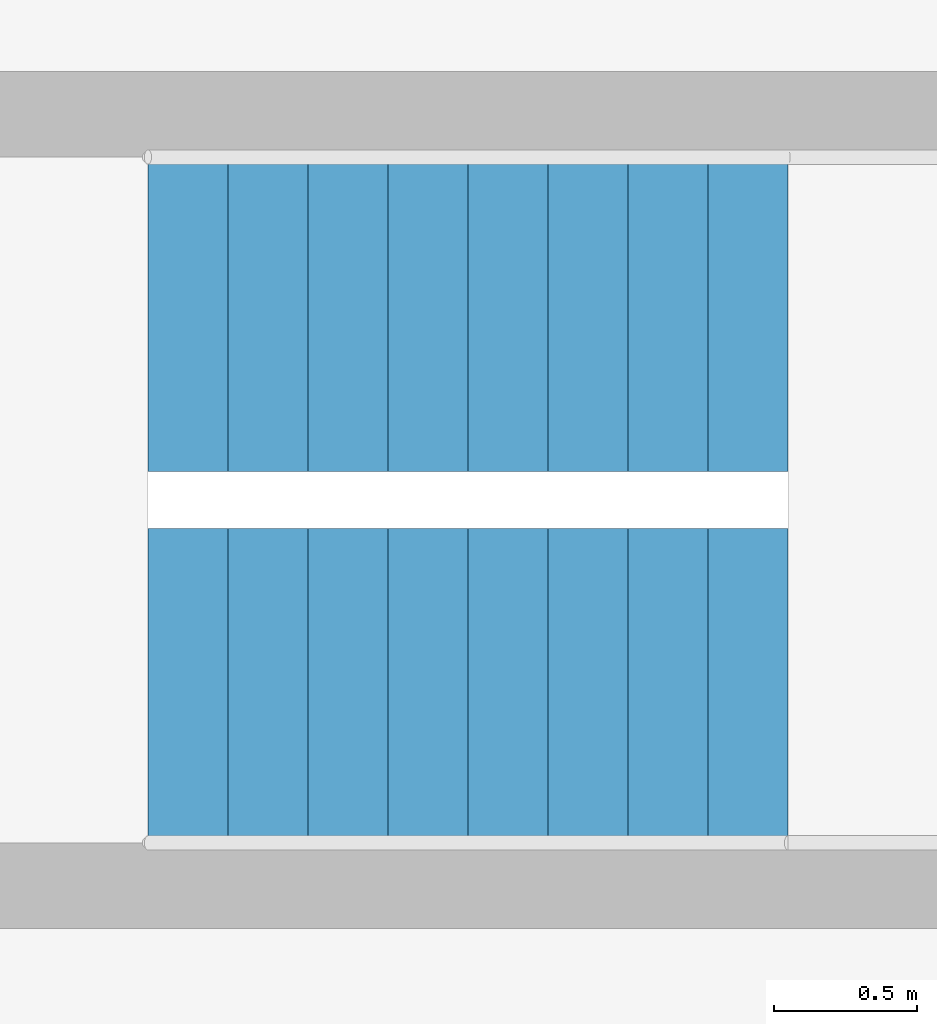
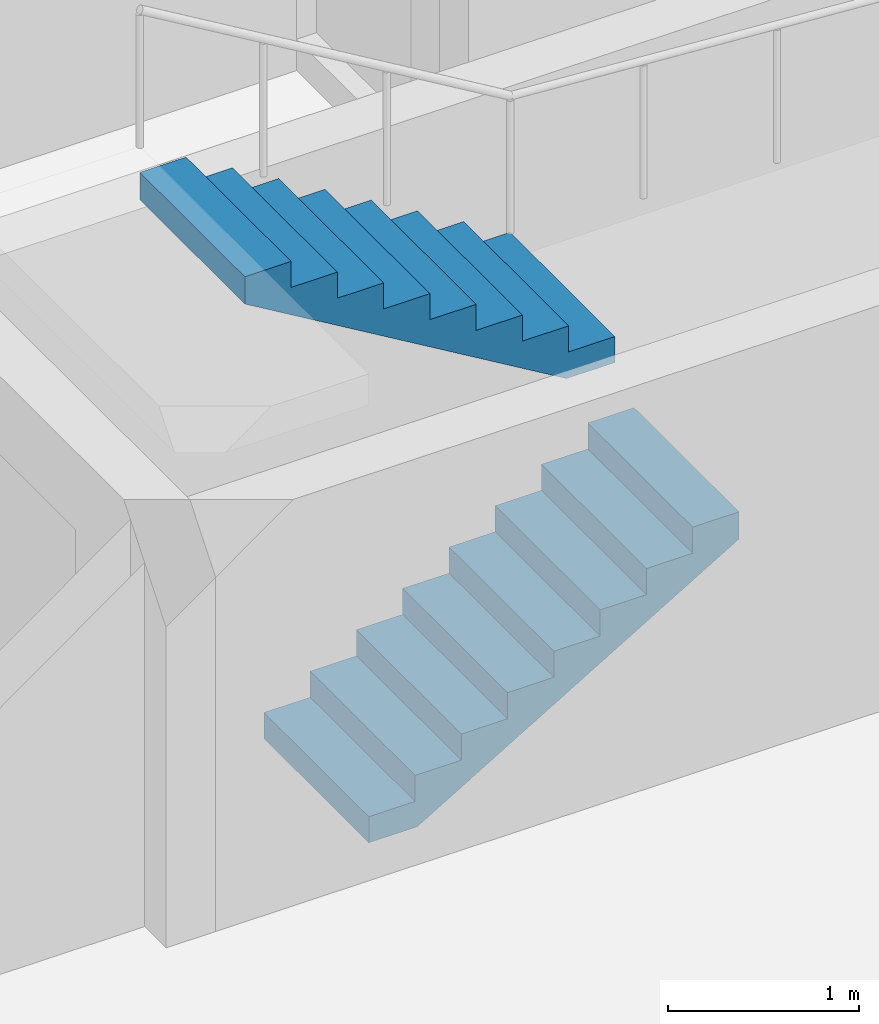
# One storey, part 10 of 12: 2 stair flights, 1 element without a shape of its own.
"""IFC4 building model written with IfcOpenShell, lengths in metres."""

from ifc_helpers import new_model, si_unit, direction, frame, origin, place, context, subcontext, project, spatial, polyline, outline, extrude, material, type_object, element, aggregate, save


model = new_model("IFC4")

# Units and contexts
model_context = context("Model", 3, precision=1e-05, world=origin(), true_north=direction((0.0, 1.0)))
body_context = subcontext(model_context, "Body", "Model", "MODEL_VIEW")
ifc_project = project(units=[si_unit("LENGTHUNIT", "METRE"), si_unit("AREAUNIT", "SQUARE_METRE"), si_unit("VOLUMEUNIT", "CUBIC_METRE"), si_unit("PLANEANGLEUNIT", "RADIAN"), si_unit("MASSUNIT", "GRAM", prefix="KILO")], contexts=[model_context])

# Site, building, storey
site_placement = place(None, origin())
site = spatial("IfcSite", under=ifc_project, at=site_placement, CompositionType="ELEMENT")
building_placement = place(site_placement, origin())
building = spatial("IfcBuilding", under=site, at=building_placement, Name="Fustian Cross Tower", CompositionType="ELEMENT")
storey_placement = place(building_placement, frame((0.0, 0.0, 135.300048828125)))
storey = spatial("IfcBuildingStorey", under=building, at=storey_placement, Name="L42", CompositionType="ELEMENT", Elevation=135.300048828125)

# Stair, stair flights
ifc_material_1 = material(Name="Concrete C50/60", Category="concrete")
stair_type = type_object("IfcStairType", Name="STAIR 1100 HALF TURN", PredefinedType="HALF_TURN_STAIR", material=ifc_material_1)
stair_placement = place(storey_placement, origin())
stair = element("IfcStair", 1, at=stair_placement, inside=storey, type_object=stair_type, Name="Stair ST8", PredefinedType="HALF_TURN_STAIR")
ifc_material_2 = material(Name="Concrete C50/60", Category="concrete")
stair_flight_type = type_object("IfcStairFlightType", Name="STAIR FLIGHT 1100", PredefinedType="STRAIGHT", material=ifc_material_2)
stair_flight_1_placement = place(storey_placement, frame((37.89990234375, -0.64990234375, 0.0), z_axis=(0.0, 0.0, 1.0), x_axis=(1.0, 0.0, 0.0)))
stair_flight_1 = element("IfcStairFlight", 2, at=stair_flight_1_placement, type_object=stair_flight_type, Name="ST8 flight 1", NumberOfRisers=9, NumberOfTreads=8, PredefinedType="STRAIGHT", RiserHeight=0.166666667, TreadLength=0.28, context=body_context, shape_type="SweptSolid", body=[
    extrude(outline(polyline([(0.0, 0.0), (0.0, 0.166748046875), (0.280029296875, 0.166748046875), (0.280029296875, 0.333251953125), (0.56005859375, 0.333251953125), (0.56005859375, 0.5), (0.840087890625, 0.5), (0.840087890625, 0.666748046875), (1.1201171875, 0.666748046875), (1.1201171875, 0.833251953125), (1.39990234375, 0.833251953125), (1.39990234375, 1.0), (1.679931640625, 1.0), (1.679931640625, 1.166748046875), (1.9599609375, 1.166748046875), (1.9599609375, 1.333251953125), (2.239990234375, 1.333251953125), (2.239990234375, 1.5), (2.239990234375, 1.158935546875), (0.29296875, 0.0), (0.0, 0.0)])), frame((0.0, 0.550048828125, 0.0), z_axis=(0.0, -1.0, 0.0), x_axis=(1.0, 0.0, 0.0)), (0.0, 0.0, 1.0), 1.10009765625),
])
stair_flight_2_placement = place(storey_placement, frame((40.139892578125, 0.64990234375, 1.5), z_axis=(0.0, 0.0, 1.0), x_axis=(-1.0, 0.0, 0.0)))
stair_flight_2 = element("IfcStairFlight", 3, at=stair_flight_2_placement, type_object=stair_flight_type, Name="ST8 flight 2", NumberOfRisers=9, NumberOfTreads=8, PredefinedType="STRAIGHT", RiserHeight=0.166666667, TreadLength=0.28, context=body_context, shape_type="SweptSolid", body=[
    extrude(outline(polyline([(0.0, 0.0), (0.0, 0.166748046875), (0.280029296875, 0.166748046875), (0.280029296875, 0.333251953125), (0.56005859375, 0.333251953125), (0.56005859375, 0.5), (0.840087890625, 0.5), (0.840087890625, 0.666748046875), (1.1201171875, 0.666748046875), (1.1201171875, 0.833251953125), (1.39990234375, 0.833251953125), (1.39990234375, 1.0), (1.679931640625, 1.0), (1.679931640625, 1.166748046875), (1.9599609375, 1.166748046875), (1.9599609375, 1.333251953125), (2.239990234375, 1.333251953125), (2.239990234375, 1.5), (2.239990234375, 1.158935546875), (0.29296875, 0.0), (0.0, 0.0)])), frame((0.0, 0.550048828125, 0.0), z_axis=(0.0, -1.0, 0.0), x_axis=(1.0, 0.0, 0.0)), (0.0, 0.0, 1.0), 1.10009765625),
])
aggregate(stair, [stair_flight_1, stair_flight_2])

save(model, "model.ifc")
